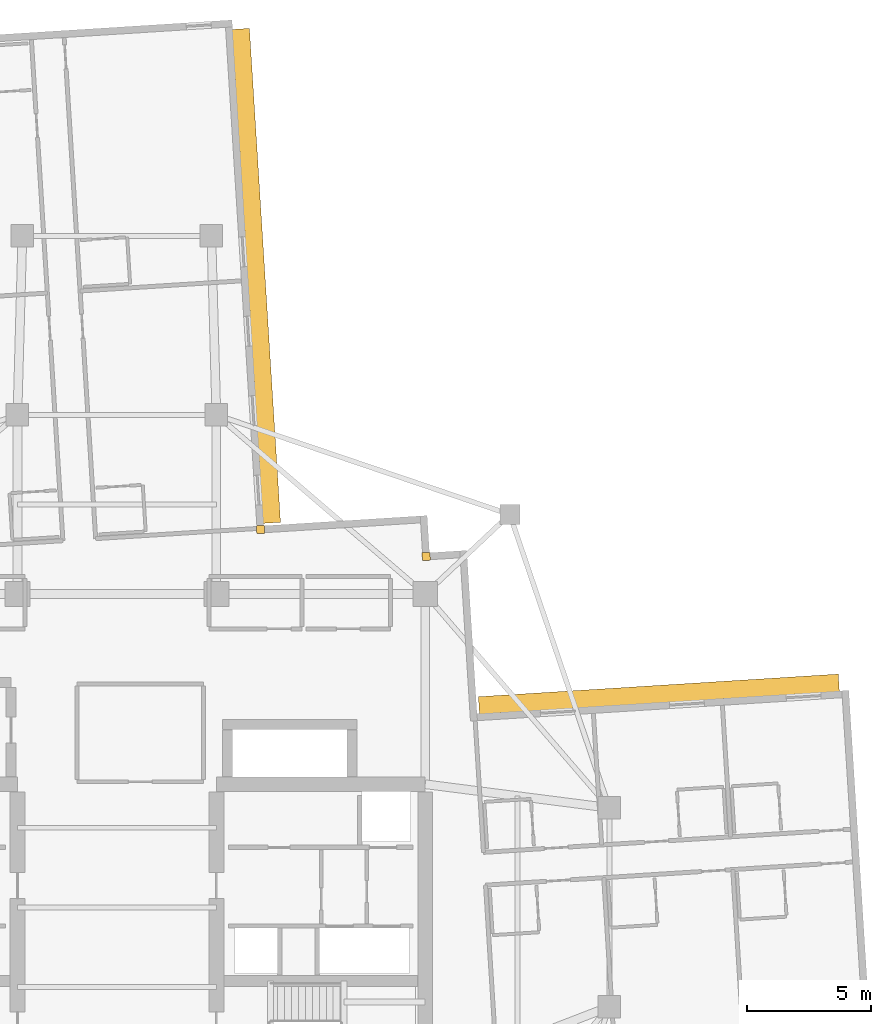
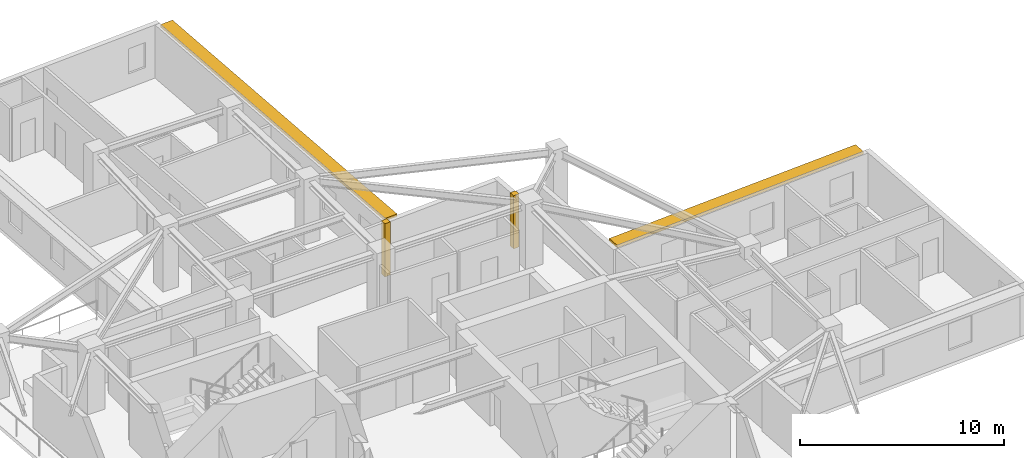
# One storey, part 13 of 13: 2 coverings, 2 shading devices.
"""IFC4 building model written with IfcOpenShell, lengths in metres."""

from ifc_helpers import new_model, si_unit, direction, frame, origin, origin_2d, place, context, subcontext, project, spatial, rectangle, extrude, material, layer, layer_set, type_object, element, save


model = new_model("IFC4")

# Units and contexts
model_context = context("Model", 3, precision=1e-05, world=origin(), true_north=direction((0.0, 1.0)))
body_context = subcontext(model_context, "Body", "Model", "MODEL_VIEW")
ifc_project = project(units=[si_unit("LENGTHUNIT", "METRE"), si_unit("AREAUNIT", "SQUARE_METRE"), si_unit("VOLUMEUNIT", "CUBIC_METRE"), si_unit("PLANEANGLEUNIT", "RADIAN"), si_unit("MASSUNIT", "GRAM", prefix="KILO")], contexts=[model_context])

# Site, building, storey
site_placement = place(None, origin())
site = spatial("IfcSite", under=ifc_project, at=site_placement, CompositionType="ELEMENT")
building_placement = place(site_placement, origin())
building = spatial("IfcBuilding", under=site, at=building_placement, Name="Qingluan Cross Belvedere", CompositionType="ELEMENT")
storey_placement = place(building_placement, frame((0.0, 0.0, 201.300048828125)))
storey = spatial("IfcBuildingStorey", under=building, at=storey_placement, Name="L50", CompositionType="ELEMENT", Elevation=201.300048828125)

# Coverings
ifc_material_1 = material(Name="Precast concrete C45", Category="concrete")
ifc_layer_1 = layer(ifc_material_1, 0.1201171875, Name="ConcreteSpandrelCladding_120")
ifc_layer_set_1 = layer_set([ifc_layer_1], Name="Precast concrete C45")
covering_type = type_object("IfcCoveringType", Name="ConcreteSpandrelCladding_120", PredefinedType="CLADDING", material=ifc_layer_set_1)
for number, where, z_axis, x_axis, name in (
    (1, (12.438720703125, 14.10888671875, 0.0), (0.0, 0.0, 1.0), (0.998026728428, 0.062790519529, 0.0), "Corner closure L50-NE1"),
    (2, (5.77734375, 15.192626953125, 0.0), (0.0, 0.0, 1.0), (0.998026728428, 0.062790519529, 0.0), "Corner closure L50-NE2"),
):
    element("IfcCovering", number, at=place(storey_placement, frame(where, z_axis=z_axis, x_axis=x_axis)), inside=storey, type_object=covering_type, Name=name, PredefinedType="CLADDING", context=body_context, shape_type="SweptSolid", body=[
        extrude(rectangle(XDim=0.320068359375, YDim=0.320068359375, at=origin_2d()), origin(), (0.0, 0.0, 1.0), 3.179931640625),
    ])

# Shading devices
ifc_material_2 = material(Name="Precast concrete C45", Category="concrete")
ifc_layer_2 = layer(ifc_material_2, 0.139892578125, Name="ConcreteSunshadeBand_700")
ifc_layer_set_2 = layer_set([ifc_layer_2], Name="Precast concrete C45")
shading_device_type = type_object("IfcShadingDeviceType", Name="ConcreteSunshadeBand_700", PredefinedType="USERDEFINED", material=ifc_layer_set_2)
shading_device_1_placement = place(storey_placement, frame((21.794677734375, 8.575439453125, 3.0), z_axis=(0.0, 0.0, 1.0), x_axis=(-0.99802639199, -0.062795866837, 0.0)))
element("IfcShadingDevice", 3, at=shading_device_1_placement, inside=storey, type_object=shading_device_type, Name="Concrete SUNSHADE L50-EB", ObjectType="SUNSHADE", PredefinedType="USERDEFINED", context=body_context, shape_type="SweptSolid", body=[
    extrude(rectangle(XDim=14.5, YDim=0.699951171875, at=origin_2d()), origin(), (0.0, 0.0, 1.0), 0.159912109375),
])
shading_device_2_placement = place(storey_placement, frame((5.606689453125, 25.39208984375, 3.0), z_axis=(0.0, 0.0, 1.0), x_axis=(-0.062786203294, 0.998026999973, 0.0)))
element("IfcShadingDevice", 4, at=shading_device_2_placement, inside=storey, type_object=shading_device_type, Name="Concrete SUNSHADE L50-NA", ObjectType="SUNSHADE", PredefinedType="USERDEFINED", context=body_context, shape_type="SweptSolid", body=[
    extrude(rectangle(XDim=19.89990234375, YDim=0.699951171875, at=origin_2d()), origin(), (0.0, 0.0, 1.0), 0.159912109375),
])

save(model, "model.ifc")
